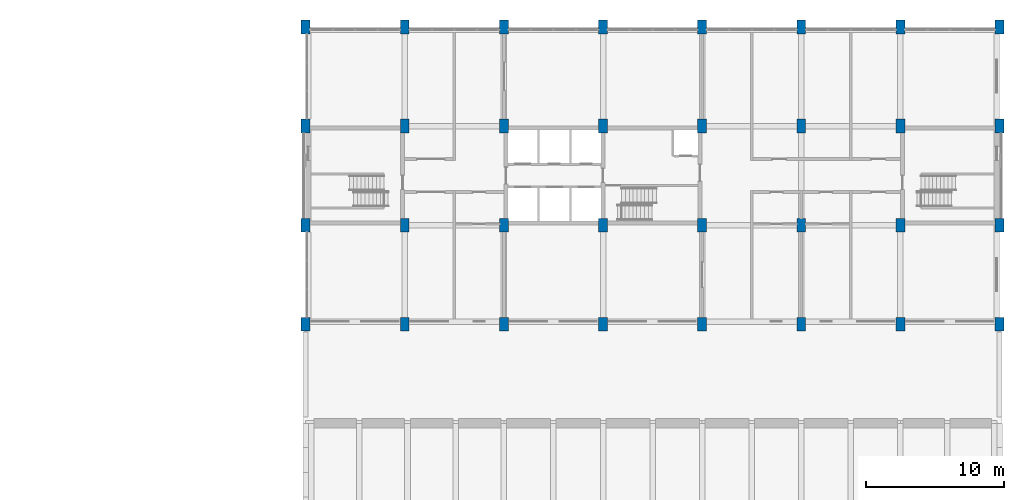
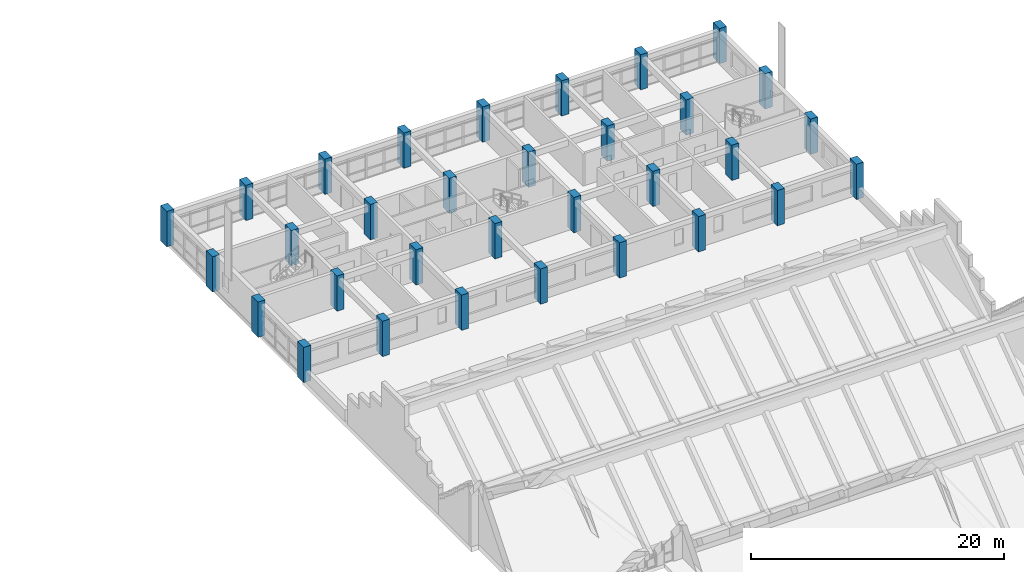
# One storey, part 1 of 31: 32 columns.
"""IFC4 building model written with IfcOpenShell, lengths in metres."""

from ifc_helpers import new_model, si_unit, direction, frame, origin, origin_2d, place, context, subcontext, project, spatial, rectangle, extrude, material, material_profile, profile_set, type_object, element, save


model = new_model("IFC4")

# Units and contexts
model_context = context("Model", 3, precision=1e-05, world=origin(), true_north=direction((0.0, 1.0)))
body_context = subcontext(model_context, "Body", "Model", "MODEL_VIEW")
ifc_project = project(units=[si_unit("LENGTHUNIT", "METRE"), si_unit("AREAUNIT", "SQUARE_METRE"), si_unit("VOLUMEUNIT", "CUBIC_METRE"), si_unit("PLANEANGLEUNIT", "RADIAN"), si_unit("MASSUNIT", "GRAM", prefix="KILO")], contexts=[model_context])

# Site, building, storey
site_placement = place(None, origin())
site = spatial("IfcSite", under=ifc_project, at=site_placement, CompositionType="ELEMENT")
building_placement = place(site_placement, origin())
building = spatial("IfcBuilding", under=site, at=building_placement, Name="Vermilion Court Aquatics Centre", CompositionType="ELEMENT")
storey_placement = place(building_placement, frame((0.0, 0.0, 16.5)))
storey = spatial("IfcBuildingStorey", under=building, at=storey_placement, Name="L03", CompositionType="ELEMENT", Elevation=16.5)

# Columns
ifc_material_1 = material(Name="Concrete 8000 psi", Category="concrete")
ifc_material_profile_1 = material_profile(ifc_material_1, rectangle(XDim=0.64990234375, YDim=1.0, at=origin_2d()), Name="RC 650x1000")
ifc_profile_set_1 = profile_set([ifc_material_profile_1], Name="Concrete 8000 psi")
column_type_1 = type_object("IfcColumnType", Name="North block inner column 650x1000", PredefinedType="COLUMN", material=ifc_profile_set_1)
for number, where, z_axis, x_axis, name in (
    (1, (151.199951171875, 100.800048828125, 0.0), (0.0, 0.0, 1.0), (1.0, 0.0, 0.0), "Column 22Q L03"),
    (2, (151.199951171875, 108.0, 0.0), (0.0, 0.0, 1.0), (1.0, 0.0, 0.0), "Column 22R L03"),
    (3, (158.39990234375, 100.800048828125, 0.0), (0.0, 0.0, 1.0), (1.0, 0.0, 0.0), "Column 23Q L03"),
    (4, (158.39990234375, 108.0, 0.0), (0.0, 0.0, 1.0), (1.0, 0.0, 0.0), "Column 23R L03"),
    (5, (165.60009765625, 100.800048828125, 0.0), (0.0, 0.0, 1.0), (1.0, 0.0, 0.0), "Column 24Q L03"),
    (6, (165.60009765625, 108.0, 0.0), (0.0, 0.0, 1.0), (1.0, 0.0, 0.0), "Column 24R L03"),
    (7, (172.800048828125, 100.800048828125, 0.0), (0.0, 0.0, 1.0), (1.0, 0.0, 0.0), "Column 25Q L03"),
    (8, (172.800048828125, 108.0, 0.0), (0.0, 0.0, 1.0), (1.0, 0.0, 0.0), "Column 25R L03"),
    (9, (180.0, 100.800048828125, 0.0), (0.0, 0.0, 1.0), (1.0, 0.0, 0.0), "Column 26Q L03"),
    (10, (180.0, 108.0, 0.0), (0.0, 0.0, 1.0), (1.0, 0.0, 0.0), "Column 26R L03"),
    (11, (187.199951171875, 100.800048828125, 0.0), (0.0, 0.0, 1.0), (1.0, 0.0, 0.0), "Column 27Q L03"),
    (12, (187.199951171875, 108.0, 0.0), (0.0, 0.0, 1.0), (1.0, 0.0, 0.0), "Column 27R L03"),
):
    element("IfcColumn", number, at=place(storey_placement, frame(where, z_axis=z_axis, x_axis=x_axis)), inside=storey, type_object=column_type_1, Name=name, PredefinedType="COLUMN", context=body_context, shape_type="SweptSolid", body=[
        extrude(rectangle(XDim=0.64990234375, YDim=1.0, at=origin_2d()), origin(), (0.0, 0.0, 1.0), 3.39990234375),
    ])
ifc_material_2 = material(Name="Concrete 6000 psi", Category="concrete")
ifc_material_profile_2 = material_profile(ifc_material_2, rectangle(XDim=0.64990234375, YDim=1.0, at=origin_2d()), Name="RC 650x1000")
ifc_profile_set_2 = profile_set([ifc_material_profile_2], Name="Concrete 6000 psi")
column_type_2 = type_object("IfcColumnType", Name="North block perimeter column 650x1000", PredefinedType="COLUMN", material=ifc_profile_set_2)
for number, where, z_axis, x_axis, name in (
    (13, (144.0, 93.60009765625, 0.0), (0.0, 0.0, 1.0), (1.0, 0.0, 0.0), "Column 21P L03"),
    (14, (144.0, 100.800048828125, 0.0), (0.0, 0.0, 1.0), (1.0, 0.0, 0.0), "Column 21Q L03"),
    (15, (144.0, 108.0, 0.0), (0.0, 0.0, 1.0), (1.0, 0.0, 0.0), "Column 21R L03"),
    (16, (144.0, 115.199951171875, 0.0), (0.0, 0.0, 1.0), (1.0, 0.0, 0.0), "Column 21S L03"),
    (17, (151.199951171875, 93.60009765625, 0.0), (0.0, 0.0, 1.0), (1.0, 0.0, 0.0), "Column 22P L03"),
    (18, (151.199951171875, 115.199951171875, 0.0), (0.0, 0.0, 1.0), (1.0, 0.0, 0.0), "Column 22S L03"),
    (19, (158.39990234375, 93.60009765625, 0.0), (0.0, 0.0, 1.0), (1.0, 0.0, 0.0), "Column 23P L03"),
    (20, (158.39990234375, 115.199951171875, 0.0), (0.0, 0.0, 1.0), (1.0, 0.0, 0.0), "Column 23S L03"),
    (21, (165.60009765625, 93.60009765625, 0.0), (0.0, 0.0, 1.0), (1.0, 0.0, 0.0), "Column 24P L03"),
    (22, (165.60009765625, 115.199951171875, 0.0), (0.0, 0.0, 1.0), (1.0, 0.0, 0.0), "Column 24S L03"),
    (23, (172.800048828125, 93.60009765625, 0.0), (0.0, 0.0, 1.0), (1.0, 0.0, 0.0), "Column 25P L03"),
    (24, (172.800048828125, 115.199951171875, 0.0), (0.0, 0.0, 1.0), (1.0, 0.0, 0.0), "Column 25S L03"),
    (25, (180.0, 93.60009765625, 0.0), (0.0, 0.0, 1.0), (1.0, 0.0, 0.0), "Column 26P L03"),
    (26, (180.0, 115.199951171875, 0.0), (0.0, 0.0, 1.0), (1.0, 0.0, 0.0), "Column 26S L03"),
    (27, (187.199951171875, 93.60009765625, 0.0), (0.0, 0.0, 1.0), (1.0, 0.0, 0.0), "Column 27P L03"),
    (28, (187.199951171875, 115.199951171875, 0.0), (0.0, 0.0, 1.0), (1.0, 0.0, 0.0), "Column 27S L03"),
    (29, (194.39990234375, 93.60009765625, 0.0), (0.0, 0.0, 1.0), (1.0, 0.0, 0.0), "Column 28P L03"),
    (30, (194.39990234375, 100.800048828125, 0.0), (0.0, 0.0, 1.0), (1.0, 0.0, 0.0), "Column 28Q L03"),
    (31, (194.39990234375, 108.0, 0.0), (0.0, 0.0, 1.0), (1.0, 0.0, 0.0), "Column 28R L03"),
    (32, (194.39990234375, 115.199951171875, 0.0), (0.0, 0.0, 1.0), (1.0, 0.0, 0.0), "Column 28S L03"),
):
    element("IfcColumn", number, at=place(storey_placement, frame(where, z_axis=z_axis, x_axis=x_axis)), inside=storey, type_object=column_type_2, Name=name, PredefinedType="COLUMN", context=body_context, shape_type="SweptSolid", body=[
        extrude(rectangle(XDim=0.64990234375, YDim=1.0, at=origin_2d()), origin(), (0.0, 0.0, 1.0), 3.39990234375),
    ])

save(model, "model.ifc")
